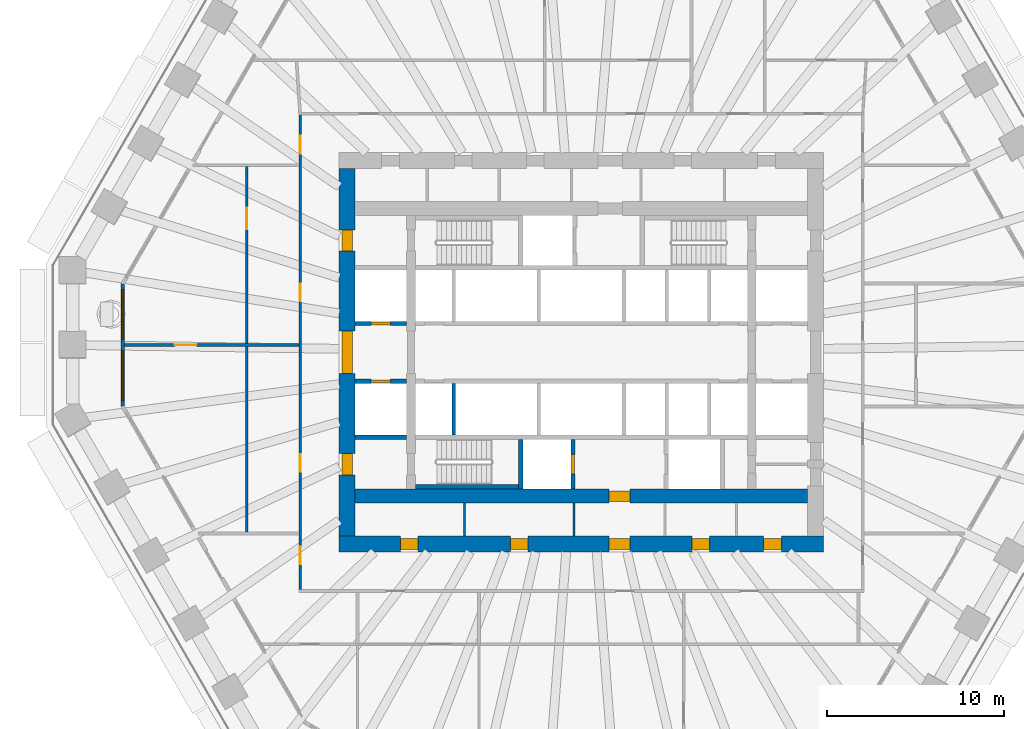
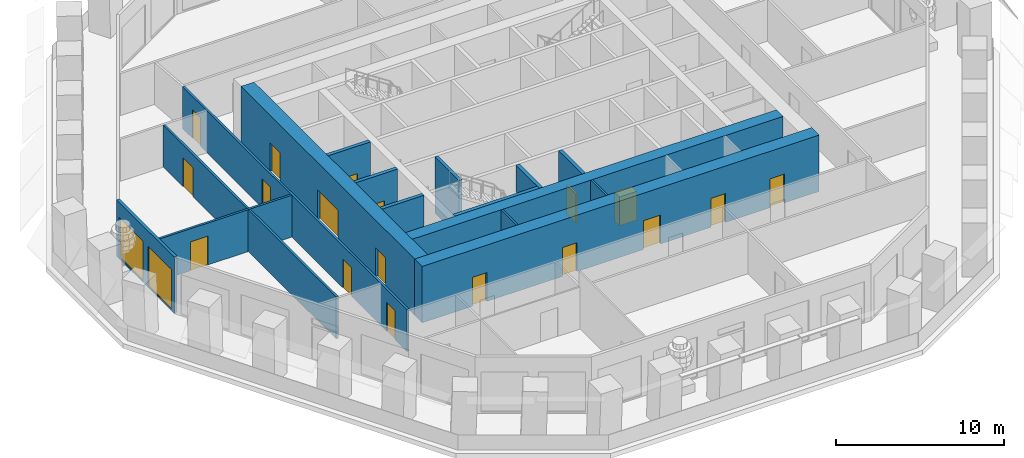
# One storey, part 4 of 13: 18 doors, 16 walls, 2 windows, 20 openings.
"""IFC4 building model written with IfcOpenShell, lengths in metres."""

from ifc_helpers import new_model, si_unit, direction, frame, frame_2d, origin, place, context, subcontext, project, spatial, polyline, rectangle, outline, extrude, material, layer, layer_set, type_object, element, fill, save


model = new_model("IFC4")

# Units and contexts
model_context = context("Model", 3, precision=1e-05, world=origin(), true_north=direction((0.0, 1.0)))
body_context = subcontext(model_context, "Body", "Model", "MODEL_VIEW")
ifc_project = project(units=[si_unit("LENGTHUNIT", "METRE"), si_unit("AREAUNIT", "SQUARE_METRE"), si_unit("VOLUMEUNIT", "CUBIC_METRE"), si_unit("PLANEANGLEUNIT", "RADIAN"), si_unit("MASSUNIT", "GRAM", prefix="KILO")], contexts=[model_context])

# Site, building, storey
site_placement = place(None, origin())
site = spatial("IfcSite", under=ifc_project, at=site_placement, CompositionType="ELEMENT")
building_placement = place(site_placement, origin())
building = spatial("IfcBuilding", under=site, at=building_placement, Name="Frailejon Research Tower", CompositionType="ELEMENT")
storey_placement = place(building_placement, frame((0.0, 0.0, 27.800048828125)))
storey = spatial("IfcBuildingStorey", under=building, at=storey_placement, Name="L06", CompositionType="ELEMENT", Elevation=27.800048828125)

# Walls
ifc_material_1 = material(Name="Plasterboard on steel studs", Category="steel")
ifc_layer_1 = layer(ifc_material_1, 0.125)
ifc_layer_set_1 = layer_set([ifc_layer_1], Name="Core partition 125")
wall_type_1 = type_object("IfcWallType", Name="Core partition 125", PredefinedType="PARTITIONING", material=ifc_layer_set_1)
for number, where, z_axis, x_axis, name in (
    (1, (-6.581298828125, -10.35009765625, 0.0), (0.0, 0.0, 1.0), (0.0, 1.0, 0.0), "Core partition"),
    (2, (-0.41259765625, -10.35009765625, 0.0), (0.0, 0.0, 1.0), (0.0, 1.0, 0.0), "Core partition"),
):
    element("IfcWall", number, at=place(storey_placement, frame(where, z_axis=z_axis, x_axis=x_axis)), inside=storey, type_object=wall_type_1, Name=name, PredefinedType="PARTITIONING", context=body_context, shape_type="SweptSolid", body=[
        extrude(rectangle(XDim=1.85009765625, YDim=0.125, at=frame_2d((0.925048828125, 0.0))), origin(), (0.0, 0.0, 1.0), 4.099853515625),
    ])

# Wall, opening, door
ifc_material_2 = material(Name="Concrete C70/85", Category="concrete")
ifc_layer_2 = layer(ifc_material_2, 0.800048828125)
ifc_layer_set_2 = layer_set([ifc_layer_2], Name="Core shear wall 800 C70/85")
wall_type_2 = type_object("IfcWallType", Name="Core shear wall 800 C70/85", PredefinedType="SHEAR", material=ifc_layer_set_2)
wall_1_placement = place(storey_placement, frame((-12.75, -8.10009765625, 0.0), z_axis=(0.0, 0.0, 1.0), x_axis=(1.0, 0.0, 0.0)))
wall_1 = element("IfcWall", 3, at=wall_1_placement, inside=storey, type_object=wall_type_2, Name="Core shear wall", PredefinedType="SHEAR", context=body_context, shape_type="SweptSolid", body=[
    extrude(rectangle(XDim=25.5, YDim=0.800048828125, at=frame_2d((12.75, 0.0))), origin(), (0.0, 0.0, 1.0), 4.099853515625),
])
opening_1_placement = place(wall_1_placement, frame((14.300048828125, 0.0, 0.0)))
opening_1 = element("IfcOpeningElement", 4, at=opening_1_placement, cuts=wall_1, Name="Opening D3", PredefinedType="OPENING", context=body_context, shape_type="SweptSolid", body=[
    extrude(rectangle(XDim=1.199951171875, YDim=2.10009765625, at=frame_2d((0.60009765625, 1.050048828125))), frame((0.0, 0.409912109375, 0.0), z_axis=(0.0, -1.0, 0.0), x_axis=(1.0, 0.0, 0.0)), (0.0, 0.0, 1.0), 0.820068359375),
])
ifc_material_3 = material(Name="Steel", Category="steel")
door_type_1 = type_object("IfcDoorType", Name="Firefighting lobby door", OperationType="SINGLE_SWING_LEFT", PredefinedType="DOOR", material=ifc_material_3)
door_1_placement = place(opening_1_placement, origin())
door_1 = element("IfcDoor", 5, at=door_1_placement, inside=storey, type_object=door_type_1, Name="Firefighting lobby door", OperationType="SINGLE_SWING_RIGHT", OverallHeight=2.10009765625, OverallWidth=1.199951171875, PredefinedType="DOOR", context=body_context, shape_type="SweptSolid", body=[
    extrude(rectangle(XDim=1.199951171875, YDim=2.10009765625, at=frame_2d((0.60009765625, 1.050048828125))), frame((0.0, 0.300048828125, 0.0), z_axis=(0.0, -1.0, 0.0), x_axis=(1.0, 0.0, 0.0)), (0.0, 0.0, 1.0), 0.60009765625),
])
fill(opening_1, door_1)

# Wall, openings, doors
ifc_material_4 = material(Name="Concrete C70/85", Category="concrete")
ifc_layer_3 = layer(ifc_material_4, 0.89990234375)
ifc_layer_set_3 = layer_set([ifc_layer_3], Name="Core shear wall 900 C70/85")
wall_type_3 = type_object("IfcWallType", Name="Core shear wall 900 C70/85", PredefinedType="SHEAR", material=ifc_layer_set_3)
wall_2_placement = place(storey_placement, frame((-13.64990234375, -10.800048828125, 0.0), z_axis=(0.0, 0.0, 1.0), x_axis=(1.0, 0.0, 0.0)))
wall_2 = element("IfcWall", 6, at=wall_2_placement, inside=storey, type_object=wall_type_3, Name="Core shear wall", PredefinedType="SHEAR", context=body_context, shape_type="SweptSolid", body=[
    extrude(rectangle(XDim=27.2998046875, YDim=0.89990234375, at=frame_2d((13.64990234375, 0.0))), origin(), (0.0, 0.0, 1.0), 4.099853515625),
])
opening_2_placement = place(wall_2_placement, frame((3.453125, 0.0, 0.0)))
opening_2 = element("IfcOpeningElement", 7, at=opening_2_placement, cuts=wall_2, Name="Opening D4", PredefinedType="OPENING", context=body_context, shape_type="SweptSolid", body=[
    extrude(rectangle(XDim=1.0, YDim=2.10009765625, at=frame_2d((0.5, 1.050048828125))), frame((0.0, 0.4599609375, 0.0), z_axis=(0.0, -1.0, 0.0), x_axis=(1.0, 0.0, 0.0)), (0.0, 0.0, 1.0), 0.919921875),
])
opening_3_placement = place(wall_2_placement, frame((9.653076171875, 0.0, 0.0)))
opening_3 = element("IfcOpeningElement", 8, at=opening_3_placement, cuts=wall_2, Name="Opening D4", PredefinedType="OPENING", context=body_context, shape_type="SweptSolid", body=[
    extrude(rectangle(XDim=1.0, YDim=2.10009765625, at=frame_2d((0.5, 1.050048828125))), frame((0.0, 0.4599609375, 0.0), z_axis=(0.0, -1.0, 0.0), x_axis=(1.0, 0.0, 0.0)), (0.0, 0.0, 1.0), 0.919921875),
])
opening_4_placement = place(wall_2_placement, frame((19.871826171875, 0.0, 0.0)))
opening_4 = element("IfcOpeningElement", 9, at=opening_4_placement, cuts=wall_2, Name="Opening D4", PredefinedType="OPENING", context=body_context, shape_type="SweptSolid", body=[
    extrude(rectangle(XDim=1.0, YDim=2.10009765625, at=frame_2d((0.5, 1.050048828125))), frame((0.0, 0.4599609375, 0.0), z_axis=(0.0, -1.0, 0.0), x_axis=(1.0, 0.0, 0.0)), (0.0, 0.0, 1.0), 0.919921875),
])
opening_5_placement = place(wall_2_placement, frame((23.921875, 0.0, 0.0)))
opening_5 = element("IfcOpeningElement", 10, at=opening_5_placement, cuts=wall_2, Name="Opening D4", PredefinedType="OPENING", context=body_context, shape_type="SweptSolid", body=[
    extrude(rectangle(XDim=1.0, YDim=2.10009765625, at=frame_2d((0.5, 1.050048828125))), frame((0.0, 0.4599609375, 0.0), z_axis=(0.0, -1.0, 0.0), x_axis=(1.0, 0.0, 0.0)), (0.0, 0.0, 1.0), 0.919921875),
])
opening_6_placement = place(wall_2_placement, frame((15.199951171875, 0.0, 0.0)))
opening_6 = element("IfcOpeningElement", 11, at=opening_6_placement, cuts=wall_2, Name="Opening D3", PredefinedType="OPENING", context=body_context, shape_type="SweptSolid", body=[
    extrude(rectangle(XDim=1.199951171875, YDim=2.10009765625, at=frame_2d((0.60009765625, 1.050048828125))), frame((0.0, 0.4599609375, 0.0), z_axis=(0.0, -1.0, 0.0), x_axis=(1.0, 0.0, 0.0)), (0.0, 0.0, 1.0), 0.919921875),
])
door_2_placement = place(opening_6_placement, origin())
door_2 = element("IfcDoor", 12, at=door_2_placement, inside=storey, type_object=door_type_1, Name="Passage door", OperationType="SINGLE_SWING_LEFT", OverallHeight=2.10009765625, OverallWidth=1.199951171875, PredefinedType="DOOR", context=body_context, shape_type="SweptSolid", body=[
    extrude(rectangle(XDim=1.199951171875, YDim=2.10009765625, at=frame_2d((0.60009765625, 1.050048828125))), frame((0.0, 0.300048828125, 0.0), z_axis=(0.0, -1.0, 0.0), x_axis=(1.0, 0.0, 0.0)), (0.0, 0.0, 1.0), 0.60009765625),
])
fill(opening_6, door_2)
ifc_material_5 = material(Name="Steel", Category="steel")
door_type_2 = type_object("IfcDoorType", Name="Service door", OperationType="SINGLE_SWING_LEFT", PredefinedType="DOOR", material=ifc_material_5)
door_3_placement = place(opening_2_placement, origin())
door_3 = element("IfcDoor", 13, at=door_3_placement, inside=storey, type_object=door_type_2, Name="Room door", OperationType="SINGLE_SWING_LEFT", OverallHeight=2.10009765625, OverallWidth=1.0, PredefinedType="DOOR", context=body_context, shape_type="SweptSolid", body=[
    extrude(rectangle(XDim=1.0, YDim=2.10009765625, at=frame_2d((0.5, 1.050048828125))), frame((0.0, 0.300048828125, 0.0), z_axis=(0.0, -1.0, 0.0), x_axis=(1.0, 0.0, 0.0)), (0.0, 0.0, 1.0), 0.60009765625),
])
fill(opening_2, door_3)
door_4_placement = place(opening_3_placement, origin())
door_4 = element("IfcDoor", 14, at=door_4_placement, inside=storey, type_object=door_type_2, Name="Room door", OperationType="SINGLE_SWING_RIGHT", OverallHeight=2.10009765625, OverallWidth=1.0, PredefinedType="DOOR", context=body_context, shape_type="SweptSolid", body=[
    extrude(rectangle(XDim=1.0, YDim=2.10009765625, at=frame_2d((0.5, 1.050048828125))), frame((0.0, 0.300048828125, 0.0), z_axis=(0.0, -1.0, 0.0), x_axis=(1.0, 0.0, 0.0)), (0.0, 0.0, 1.0), 0.60009765625),
])
fill(opening_3, door_4)
door_5_placement = place(opening_4_placement, origin())
door_5 = element("IfcDoor", 15, at=door_5_placement, inside=storey, type_object=door_type_2, Name="Room door", OperationType="SINGLE_SWING_LEFT", OverallHeight=2.10009765625, OverallWidth=1.0, PredefinedType="DOOR", context=body_context, shape_type="SweptSolid", body=[
    extrude(rectangle(XDim=1.0, YDim=2.10009765625, at=frame_2d((0.5, 1.050048828125))), frame((0.0, 0.300048828125, 0.0), z_axis=(0.0, -1.0, 0.0), x_axis=(1.0, 0.0, 0.0)), (0.0, 0.0, 1.0), 0.60009765625),
])
fill(opening_4, door_5)
door_6_placement = place(opening_5_placement, origin())
door_6 = element("IfcDoor", 16, at=door_6_placement, inside=storey, type_object=door_type_2, Name="Room door", OperationType="SINGLE_SWING_RIGHT", OverallHeight=2.10009765625, OverallWidth=1.0, PredefinedType="DOOR", context=body_context, shape_type="SweptSolid", body=[
    extrude(rectangle(XDim=1.0, YDim=2.10009765625, at=frame_2d((0.5, 1.050048828125))), frame((0.0, 0.300048828125, 0.0), z_axis=(0.0, -1.0, 0.0), x_axis=(1.0, 0.0, 0.0)), (0.0, 0.0, 1.0), 0.60009765625),
])
fill(opening_5, door_6)

wall_3_placement = place(storey_placement, frame((-13.199951171875, -10.35009765625, 0.0), z_axis=(0.0, 0.0, 1.0), x_axis=(0.0, 1.0, 0.0)))
wall_3 = element("IfcWall", 17, at=wall_3_placement, inside=storey, type_object=wall_type_3, Name="Core shear wall", PredefinedType="SHEAR", context=body_context, shape_type="SweptSolid", body=[
    extrude(rectangle(XDim=20.7001953125, YDim=0.89990234375, at=frame_2d((10.35009765625, 0.0))), origin(), (0.0, 0.0, 1.0), 4.099853515625),
])
opening_7_placement = place(wall_3_placement, frame((9.14990234375, 0.0, 0.0)))
opening_7 = element("IfcOpeningElement", 18, at=opening_7_placement, cuts=wall_3, Name="Opening D2", PredefinedType="OPENING", context=body_context, shape_type="SweptSolid", body=[
    extrude(rectangle(XDim=2.39990234375, YDim=2.10009765625, at=frame_2d((1.199951171875, 1.050048828125))), frame((0.0, 0.4599609375, 0.0), z_axis=(0.0, -1.0, 0.0), x_axis=(1.0, 0.0, 0.0)), (0.0, 0.0, 1.0), 0.919921875),
])
opening_8_placement = place(wall_3_placement, frame((16.050048828125, 0.0, 0.0)))
opening_8 = element("IfcOpeningElement", 19, at=opening_8_placement, cuts=wall_3, Name="Opening D7", PredefinedType="OPENING", context=body_context, shape_type="SweptSolid", body=[
    extrude(rectangle(XDim=1.199951171875, YDim=2.10009765625, at=frame_2d((0.60009765625, 1.050048828125))), frame((0.0, 0.4599609375, 0.0), z_axis=(0.0, -1.0, 0.0), x_axis=(1.0, 0.0, 0.0)), (0.0, 0.0, 1.0), 0.919921875),
])
opening_9_placement = place(wall_3_placement, frame((3.449951171875, 0.0, 0.0)))
opening_9 = element("IfcOpeningElement", 20, at=opening_9_placement, cuts=wall_3, Name="Opening D7", PredefinedType="OPENING", context=body_context, shape_type="SweptSolid", body=[
    extrude(rectangle(XDim=1.199951171875, YDim=2.10009765625, at=frame_2d((0.60009765625, 1.050048828125))), frame((0.0, 0.4599609375, 0.0), z_axis=(0.0, -1.0, 0.0), x_axis=(1.0, 0.0, 0.0)), (0.0, 0.0, 1.0), 0.919921875),
])
ifc_material_6 = material(Name="Steel", Category="steel")
door_type_3 = type_object("IfcDoorType", Name="Lobby double door", OperationType="DOUBLE_DOOR_SINGLE_SWING", PredefinedType="DOOR", material=ifc_material_6)
door_7_placement = place(opening_7_placement, origin())
door_7 = element("IfcDoor", 21, at=door_7_placement, inside=storey, type_object=door_type_3, Name="Lobby door", OperationType="DOUBLE_DOOR_SINGLE_SWING", OverallHeight=2.10009765625, OverallWidth=2.39990234375, PredefinedType="DOOR", context=body_context, shape_type="SweptSolid", body=[
    extrude(rectangle(XDim=2.39990234375, YDim=2.10009765625, at=frame_2d((1.199951171875, 1.050048828125))), frame((0.0, 0.300048828125, 0.0), z_axis=(0.0, -1.0, 0.0), x_axis=(1.0, 0.0, 0.0)), (0.0, 0.0, 1.0), 0.60009765625),
])
fill(opening_7, door_7)
ifc_material_7 = material(Name="Steel", Category="steel")
door_type_4 = type_object("IfcDoorType", Name="Stair exit door", OperationType="SINGLE_SWING_LEFT", PredefinedType="DOOR", material=ifc_material_7)
door_8_placement = place(opening_8_placement, origin())
door_8 = element("IfcDoor", 22, at=door_8_placement, inside=storey, type_object=door_type_4, Name="Stair exit door ST1", OperationType="SINGLE_SWING_LEFT", OverallHeight=2.10009765625, OverallWidth=1.199951171875, PredefinedType="DOOR", context=body_context, shape_type="SweptSolid", body=[
    extrude(rectangle(XDim=1.199951171875, YDim=2.10009765625, at=frame_2d((0.60009765625, 1.050048828125))), frame((0.0, 0.300048828125, 0.0), z_axis=(0.0, -1.0, 0.0), x_axis=(1.0, 0.0, 0.0)), (0.0, 0.0, 1.0), 0.60009765625),
])
fill(opening_8, door_8)
door_9_placement = place(opening_9_placement, origin())
door_9 = element("IfcDoor", 23, at=door_9_placement, inside=storey, type_object=door_type_4, Name="Stair exit door ST2", OperationType="SINGLE_SWING_LEFT", OverallHeight=2.10009765625, OverallWidth=1.199951171875, PredefinedType="DOOR", context=body_context, shape_type="SweptSolid", body=[
    extrude(rectangle(XDim=1.199951171875, YDim=2.10009765625, at=frame_2d((0.60009765625, 1.050048828125))), frame((0.0, 0.300048828125, 0.0), z_axis=(0.0, -1.0, 0.0), x_axis=(1.0, 0.0, 0.0)), (0.0, 0.0, 1.0), 0.60009765625),
])
fill(opening_9, door_9)

ifc_material_8 = material(Name="Gypsum board and masonry partition", Category="masonry")
ifc_layer_4 = layer(ifc_material_8, 0.14990234375)
ifc_layer_set_4 = layer_set([ifc_layer_4], Name="Corridor wall EI 60, gypsum on steel studs 150")
wall_type_4 = type_object("IfcWallType", Name="Corridor wall EI 60, gypsum on steel studs 150", PredefinedType="PARTITIONING", material=ifc_layer_set_4)
wall_4_placement = place(storey_placement, frame((-15.85009765625, -13.375, 0.0), z_axis=(0.0, 0.0, 1.0), x_axis=(0.0, 1.0, 0.0)))
wall_4 = element("IfcWall", 24, at=wall_4_placement, inside=storey, type_object=wall_type_4, Name="T:IW:L06:003", PredefinedType="PARTITIONING", context=body_context, shape_type="SweptSolid", body=[
    extrude(rectangle(XDim=26.75, YDim=0.14990234375, at=frame_2d((13.375, 0.0))), origin(), (0.0, 0.0, 1.0), 3.050048828125),
])
opening_10_placement = place(wall_4_placement, frame((24.56884765625, 0.0, 0.0)))
opening_10 = element("IfcOpeningElement", 25, at=opening_10_placement, cuts=wall_4, Name="Opening D1304", PredefinedType="OPENING", context=body_context, shape_type="SweptSolid", body=[
    extrude(rectangle(XDim=1.0, YDim=2.10009765625, at=frame_2d((0.5, 1.050048828125))), frame((0.0, 0.0849609375, 0.0), z_axis=(0.0, -1.0, 0.0), x_axis=(1.0, 0.0, 0.0)), (0.0, 0.0, 1.0), 0.169921875),
])
opening_11_placement = place(wall_4_placement, frame((16.24658203125, 0.0, 0.0)))
opening_11 = element("IfcOpeningElement", 26, at=opening_11_placement, cuts=wall_4, Name="Opening D1305", PredefinedType="OPENING", context=body_context, shape_type="SweptSolid", body=[
    extrude(rectangle(XDim=1.0, YDim=2.10009765625, at=frame_2d((0.5, 1.050048828125))), frame((0.0, 0.0849609375, 0.0), z_axis=(0.0, -1.0, 0.0), x_axis=(1.0, 0.0, 0.0)), (0.0, 0.0, 1.0), 0.169921875),
])
opening_12_placement = place(wall_4_placement, frame((6.638916015625, 0.0, 0.0)))
opening_12 = element("IfcOpeningElement", 27, at=opening_12_placement, cuts=wall_4, Name="Opening D1308", PredefinedType="OPENING", context=body_context, shape_type="SweptSolid", body=[
    extrude(rectangle(XDim=1.0, YDim=2.10009765625, at=frame_2d((0.5, 1.050048828125))), frame((0.0, 0.0849609375, 0.0), z_axis=(0.0, -1.0, 0.0), x_axis=(1.0, 0.0, 0.0)), (0.0, 0.0, 1.0), 0.169921875),
])
opening_13_placement = place(wall_4_placement, frame((1.43017578125, 0.0, 0.0)))
opening_13 = element("IfcOpeningElement", 28, at=opening_13_placement, cuts=wall_4, Name="Opening D1309", PredefinedType="OPENING", context=body_context, shape_type="SweptSolid", body=[
    extrude(rectangle(XDim=1.0, YDim=2.10009765625, at=frame_2d((0.5, 1.050048828125))), frame((0.0, 0.0849609375, 0.0), z_axis=(0.0, -1.0, 0.0), x_axis=(1.0, 0.0, 0.0)), (0.0, 0.0, 1.0), 0.169921875),
])
ifc_material_9 = material(Name="Timber door leaf", Category="wood")
door_type_5 = type_object("IfcDoorType", Name="Door laboratory, timber, vision panel 1000", OperationType="NOTDEFINED", PredefinedType="DOOR", material=ifc_material_9)
door_10_placement = place(opening_11_placement, origin())
door_10 = element("IfcDoor", 29, at=door_10_placement, inside=storey, type_object=door_type_5, Name="D1305", OperationType="SINGLE_SWING_RIGHT", OverallHeight=2.10009765625, OverallWidth=1.0, PredefinedType="DOOR", context=body_context, shape_type="SweptSolid", body=[
    extrude(rectangle(XDim=1.0, YDim=2.10009765625, at=frame_2d((0.5, 1.050048828125))), frame((0.0, 0.02490234375, 0.0), z_axis=(0.0, -1.0, 0.0), x_axis=(1.0, 0.0, 0.0)), (0.0, 0.0, 1.0), 0.050048828125),
])
fill(opening_11, door_10)
door_11_placement = place(opening_13_placement, origin())
door_11 = element("IfcDoor", 30, at=door_11_placement, inside=storey, type_object=door_type_5, Name="D1309", OperationType="SINGLE_SWING_RIGHT", OverallHeight=2.10009765625, OverallWidth=1.0, PredefinedType="DOOR", context=body_context, shape_type="SweptSolid", body=[
    extrude(rectangle(XDim=1.0, YDim=2.10009765625, at=frame_2d((0.5, 1.050048828125))), frame((0.0, 0.02490234375, 0.0), z_axis=(0.0, -1.0, 0.0), x_axis=(1.0, 0.0, 0.0)), (0.0, 0.0, 1.0), 0.050048828125),
])
fill(opening_13, door_11)
ifc_material_10 = material(Name="Timber door leaf", Category="wood")
door_type_6 = type_object("IfcDoorType", Name="Door single leaf, timber, steel frame 1000", OperationType="NOTDEFINED", PredefinedType="DOOR", material=ifc_material_10)
door_12_placement = place(opening_10_placement, origin())
door_12 = element("IfcDoor", 31, at=door_12_placement, inside=storey, type_object=door_type_6, Name="D1304", OperationType="SINGLE_SWING_LEFT", OverallHeight=2.10009765625, OverallWidth=1.0, PredefinedType="DOOR", context=body_context, shape_type="SweptSolid", body=[
    extrude(rectangle(XDim=1.0, YDim=2.10009765625, at=frame_2d((0.5, 1.050048828125))), frame((0.0, 0.02490234375, 0.0), z_axis=(0.0, -1.0, 0.0), x_axis=(1.0, 0.0, 0.0)), (0.0, 0.0, 1.0), 0.050048828125),
])
fill(opening_10, door_12)
door_13_placement = place(opening_12_placement, origin())
door_13 = element("IfcDoor", 32, at=door_13_placement, inside=storey, type_object=door_type_6, Name="D1308", OperationType="SINGLE_SWING_LEFT", OverallHeight=2.10009765625, OverallWidth=1.0, PredefinedType="DOOR", context=body_context, shape_type="SweptSolid", body=[
    extrude(rectangle(XDim=1.0, YDim=2.10009765625, at=frame_2d((0.5, 1.050048828125))), frame((0.0, 0.02490234375, 0.0), z_axis=(0.0, -1.0, 0.0), x_axis=(1.0, 0.0, 0.0)), (0.0, 0.0, 1.0), 0.050048828125),
])
fill(opening_12, door_13)

# Wall, opening, door
ifc_material_11 = material(Name="Gypsum board and masonry partition", Category="masonry")
ifc_layer_5 = layer(ifc_material_11, 0.14990234375)
ifc_layer_set_5 = layer_set([ifc_layer_5], Name="Laboratory partition, blockwork 150")
wall_type_5 = type_object("IfcWallType", Name="Laboratory partition, blockwork 150", PredefinedType="PARTITIONING", material=ifc_layer_set_5)
wall_5_placement = place(storey_placement, frame((-18.85009765625, -10.135009765625, 0.0), z_axis=(0.0, 0.0, 1.0), x_axis=(0.0, 1.0, 0.0)))
wall_5 = element("IfcWall", 33, at=wall_5_placement, inside=storey, type_object=wall_type_5, Name="T:IW:L06:015", PredefinedType="PARTITIONING", context=body_context, shape_type="SweptSolid", body=[
    extrude(rectangle(XDim=20.601806640625, YDim=0.14990234375, at=frame_2d((10.30078125, 0.0))), origin(), (0.0, 0.0, 1.0), 3.050048828125),
])
opening_14_placement = place(wall_5_placement, frame((17.06982421875, 0.0, 0.0)))
opening_14 = element("IfcOpeningElement", 34, at=opening_14_placement, cuts=wall_5, Name="Opening D1306", PredefinedType="OPENING", context=body_context, shape_type="SweptSolid", body=[
    extrude(rectangle(XDim=1.199951171875, YDim=2.10009765625, at=frame_2d((0.60009765625, 1.050048828125))), frame((0.0, 0.0849609375, 0.0), z_axis=(0.0, -1.0, 0.0), x_axis=(1.0, 0.0, 0.0)), (0.0, 0.0, 1.0), 0.169921875),
])
ifc_material_12 = material(Name="Timber door leaf", Category="wood")
door_type_7 = type_object("IfcDoorType", Name="Door laboratory, timber, vision panel 1200", OperationType="NOTDEFINED", PredefinedType="DOOR", material=ifc_material_12)
door_14_placement = place(opening_14_placement, origin())
door_14 = element("IfcDoor", 35, at=door_14_placement, inside=storey, type_object=door_type_7, Name="D1306", OperationType="DOUBLE_DOOR_SINGLE_SWING", OverallHeight=2.10009765625, OverallWidth=1.199951171875, PredefinedType="DOOR", context=body_context, shape_type="SweptSolid", body=[
    extrude(rectangle(XDim=1.199951171875, YDim=2.10009765625, at=frame_2d((0.60009765625, 1.050048828125))), frame((0.0, 0.02490234375, 0.0), z_axis=(0.0, -1.0, 0.0), x_axis=(1.0, 0.0, 0.0)), (0.0, 0.0, 1.0), 0.050048828125),
])
fill(opening_14, door_14)

wall_6_placement = place(storey_placement, frame((-25.752197265625, 0.414794921875, 0.0), z_axis=(0.0, 0.0, 1.0), x_axis=(1.0, 0.0, 0.0)))
wall_6 = element("IfcWall", 36, at=wall_6_placement, inside=storey, type_object=wall_type_5, Name="T:IW:L06:016", PredefinedType="PARTITIONING", context=body_context, shape_type="SweptSolid", body=[
    extrude(rectangle(XDim=9.8271484375, YDim=0.14990234375, at=frame_2d((4.91357421875, 0.0))), origin(), (0.0, 0.0, 1.0), 3.050048828125),
])
opening_15_placement = place(wall_6_placement, frame((2.851318359375, 0.0, 0.0)))
opening_15 = element("IfcOpeningElement", 37, at=opening_15_placement, cuts=wall_6, Name="Opening D1307", PredefinedType="OPENING", context=body_context, shape_type="SweptSolid", body=[
    extrude(rectangle(XDim=1.199951171875, YDim=2.10009765625, at=frame_2d((0.60009765625, 1.050048828125))), frame((0.0, 0.0849609375, 0.0), z_axis=(0.0, -1.0, 0.0), x_axis=(1.0, 0.0, 0.0)), (0.0, 0.0, 1.0), 0.169921875),
])
door_15_placement = place(opening_15_placement, origin())
door_15 = element("IfcDoor", 38, at=door_15_placement, inside=storey, type_object=door_type_7, Name="D1307", OperationType="DOUBLE_DOOR_SINGLE_SWING", OverallHeight=2.10009765625, OverallWidth=1.199951171875, PredefinedType="DOOR", context=body_context, shape_type="SweptSolid", body=[
    extrude(rectangle(XDim=1.199951171875, YDim=2.10009765625, at=frame_2d((0.60009765625, 1.050048828125))), frame((0.0, 0.02490234375, 0.0), z_axis=(0.0, -1.0, 0.0), x_axis=(1.0, 0.0, 0.0)), (0.0, 0.0, 1.0), 0.050048828125),
])
fill(opening_15, door_15)

# Wall
ifc_material_13 = material(Name="Concrete C70/85", Category="concrete")
ifc_layer_6 = layer(ifc_material_13, 0.199951171875)
ifc_layer_set_6 = layer_set([ifc_layer_6], Name="Shaft wall 200 C70/85")
wall_type_6 = type_object("IfcWallType", Name="Shaft wall 200 C70/85", PredefinedType="SOLIDWALL", material=ifc_layer_set_6)
wall_7_placement = place(storey_placement, frame((-7.199951171875, -4.64990234375, 0.0), z_axis=(0.0, 0.0, 1.0), x_axis=(0.0, 1.0, 0.0)))
element("IfcWall", 39, at=wall_7_placement, inside=storey, type_object=wall_type_6, Name="Shaft wall", PredefinedType="SOLIDWALL", context=body_context, shape_type="SweptSolid", body=[
    extrude(rectangle(XDim=2.89990234375, YDim=0.199951171875, at=frame_2d((1.449951171875, 0.0))), origin(), (0.0, 0.0, 1.0), 4.099853515625),
])

# Wall, opening, door
ifc_material_14 = material(Name="Concrete C70/85", Category="concrete")
ifc_layer_7 = layer(ifc_material_14, 0.25)
ifc_layer_set_7 = layer_set([ifc_layer_7], Name="Shaft wall 250 C70/85")
wall_type_7 = type_object("IfcWallType", Name="Shaft wall 250 C70/85", PredefinedType="SOLIDWALL", material=ifc_layer_set_7)
wall_8_placement = place(storey_placement, frame((-12.75, 1.625, 0.0), z_axis=(0.0, 0.0, 1.0), x_axis=(1.0, 0.0, 0.0)))
wall_8 = element("IfcWall", 40, at=wall_8_placement, inside=storey, type_object=wall_type_7, Name="Shaft wall", PredefinedType="SOLIDWALL", context=body_context, shape_type="SweptSolid", body=[
    extrude(rectangle(XDim=2.89990234375, YDim=0.25, at=frame_2d((1.449951171875, 0.0))), origin(), (0.0, 0.0, 1.0), 4.099853515625),
])
opening_16_placement = place(wall_8_placement, frame((0.89990234375, 0.0, 0.0)))
opening_16 = element("IfcOpeningElement", 41, at=opening_16_placement, cuts=wall_8, Name="Opening LD", PredefinedType="OPENING", context=body_context, shape_type="SweptSolid", body=[
    extrude(rectangle(XDim=1.10009765625, YDim=2.10009765625, at=frame_2d((0.550048828125, 1.050048828125))), frame((0.0, 0.135009765625, 0.0), z_axis=(0.0, -1.0, 0.0), x_axis=(1.0, 0.0, 0.0)), (0.0, 0.0, 1.0), 0.27001953125),
])
ifc_material_15 = material(Name="Steel", Category="steel")
door_type_8 = type_object("IfcDoorType", Name="Lift landing door", OperationType="DOUBLE_DOOR_SLIDING", PredefinedType="DOOR", material=ifc_material_15)
door_16_placement = place(opening_16_placement, origin())
door_16 = element("IfcDoor", 42, at=door_16_placement, inside=storey, type_object=door_type_8, Name="Lift landing door", OperationType="DOUBLE_DOOR_SLIDING", OverallHeight=2.10009765625, OverallWidth=1.10009765625, PredefinedType="DOOR", context=body_context, shape_type="SweptSolid", body=[
    extrude(rectangle(XDim=1.10009765625, YDim=2.10009765625, at=frame_2d((0.550048828125, 1.050048828125))), frame((0.0, 0.074951171875, 0.0), z_axis=(0.0, -1.0, 0.0), x_axis=(1.0, 0.0, 0.0)), (0.0, 0.0, 1.0), 0.14990234375),
])
fill(opening_16, door_16)

wall_9_placement = place(storey_placement, frame((-12.75, -1.625, 0.0), z_axis=(0.0, 0.0, 1.0), x_axis=(1.0, 0.0, 0.0)))
wall_9 = element("IfcWall", 43, at=wall_9_placement, inside=storey, type_object=wall_type_7, Name="Shaft wall", PredefinedType="SOLIDWALL", context=body_context, shape_type="SweptSolid", body=[
    extrude(rectangle(XDim=2.89990234375, YDim=0.25, at=frame_2d((1.449951171875, 0.0))), origin(), (0.0, 0.0, 1.0), 4.099853515625),
])
opening_17_placement = place(wall_9_placement, frame((0.89990234375, 0.0, 0.0)))
opening_17 = element("IfcOpeningElement", 44, at=opening_17_placement, cuts=wall_9, Name="Opening LD", PredefinedType="OPENING", context=body_context, shape_type="SweptSolid", body=[
    extrude(rectangle(XDim=1.10009765625, YDim=2.10009765625, at=frame_2d((0.550048828125, 1.050048828125))), frame((0.0, 0.135009765625, 0.0), z_axis=(0.0, -1.0, 0.0), x_axis=(1.0, 0.0, 0.0)), (0.0, 0.0, 1.0), 0.27001953125),
])
door_17_placement = place(opening_17_placement, origin())
door_17 = element("IfcDoor", 45, at=door_17_placement, inside=storey, type_object=door_type_8, Name="Lift landing door", OperationType="DOUBLE_DOOR_SLIDING", OverallHeight=2.10009765625, OverallWidth=1.10009765625, PredefinedType="DOOR", context=body_context, shape_type="SweptSolid", body=[
    extrude(rectangle(XDim=1.10009765625, YDim=2.10009765625, at=frame_2d((0.550048828125, 1.050048828125))), frame((0.0, 0.074951171875, 0.0), z_axis=(0.0, -1.0, 0.0), x_axis=(1.0, 0.0, 0.0)), (0.0, 0.0, 1.0), 0.14990234375),
])
fill(opening_17, door_17)

# Walls
wall_10_placement = place(storey_placement, frame((-12.75, -4.77490234375, 0.0), z_axis=(0.0, 0.0, 1.0), x_axis=(1.0, 0.0, 0.0)))
element("IfcWall", 46, at=wall_10_placement, inside=storey, type_object=wall_type_7, Name="Shaft wall", PredefinedType="SOLIDWALL", context=body_context, shape_type="SweptSolid", body=[
    extrude(rectangle(XDim=2.89990234375, YDim=0.25, at=frame_2d((1.449951171875, 0.0))), origin(), (0.0, 0.0, 1.0), 4.099853515625),
])
wall_11_placement = place(storey_placement, frame((-9.35009765625, -7.574951171875, 0.0), z_axis=(0.0, 0.0, 1.0), x_axis=(1.0, 0.0, 0.0)))
element("IfcWall", 47, at=wall_11_placement, inside=storey, type_object=wall_type_7, Name="Shaft wall", PredefinedType="SOLIDWALL", context=body_context, shape_type="SweptSolid", body=[
    extrude(rectangle(XDim=5.800048828125, YDim=0.25, at=frame_2d((2.89990234375, 0.0))), origin(), (0.0, 0.0, 1.0), 4.099853515625),
])
wall_12_placement = place(storey_placement, frame((-3.425048828125, -7.699951171875, 0.0), z_axis=(0.0, 0.0, 1.0), x_axis=(0.0, 1.0, 0.0)))
element("IfcWall", 48, at=wall_12_placement, inside=storey, type_object=wall_type_7, Name="Shaft wall", PredefinedType="SOLIDWALL", context=body_context, shape_type="SweptSolid", body=[
    extrude(rectangle(XDim=2.800048828125, YDim=0.25, at=frame_2d((1.39990234375, 0.0))), origin(), (0.0, 0.0, 1.0), 4.099853515625),
])

# Wall, opening, door
wall_13_placement = place(storey_placement, frame((-0.47509765625, -7.699951171875, 0.0), z_axis=(0.0, 0.0, 1.0), x_axis=(0.0, 1.0, 0.0)))
wall_13 = element("IfcWall", 49, at=wall_13_placement, inside=storey, type_object=wall_type_7, Name="Shaft wall", PredefinedType="SOLIDWALL", context=body_context, shape_type="SweptSolid", body=[
    extrude(rectangle(XDim=2.800048828125, YDim=0.25, at=frame_2d((1.39990234375, 0.0))), origin(), (0.0, 0.0, 1.0), 4.099853515625),
])
opening_18_placement = place(wall_13_placement, frame((0.85009765625, 0.0, 0.0)))
opening_18 = element("IfcOpeningElement", 50, at=opening_18_placement, cuts=wall_13, Name="Opening LD", PredefinedType="OPENING", context=body_context, shape_type="SweptSolid", body=[
    extrude(rectangle(XDim=1.10009765625, YDim=2.10009765625, at=frame_2d((0.550048828125, 1.050048828125))), frame((0.0, 0.135009765625, 0.0), z_axis=(0.0, -1.0, 0.0), x_axis=(1.0, 0.0, 0.0)), (0.0, 0.0, 1.0), 0.27001953125),
])
door_18_placement = place(opening_18_placement, origin())
door_18 = element("IfcDoor", 51, at=door_18_placement, inside=storey, type_object=door_type_8, Name="Lift landing door", OperationType="DOUBLE_DOOR_SLIDING", OverallHeight=2.10009765625, OverallWidth=1.10009765625, PredefinedType="DOOR", context=body_context, shape_type="SweptSolid", body=[
    extrude(rectangle(XDim=1.10009765625, YDim=2.10009765625, at=frame_2d((0.550048828125, 1.050048828125))), frame((0.0, 0.074951171875, 0.0), z_axis=(0.0, -1.0, 0.0), x_axis=(1.0, 0.0, 0.0)), (0.0, 0.0, 1.0), 0.14990234375),
])
fill(opening_18, door_18)

# Wall, openings, windows
ifc_material_16 = material(Name="Concrete C40/50 precast window wall panel", Category="concrete")
ifc_layer_8 = layer(ifc_material_16, 0.199951171875)
ifc_layer_set_8 = layer_set([ifc_layer_8], Name="Window wall 200")
wall_type_8 = type_object("IfcWallType", Name="Window wall 200", PredefinedType="SOLIDWALL", material=ifc_layer_set_8)
wall_14_placement = place(storey_placement, frame((-25.852294921875, 3.85205078125, 0.0), z_axis=(0.0, 0.0, 1.0), x_axis=(0.0, -1.0, 0.0)))
wall_14 = element("IfcWall", 52, at=wall_14_placement, inside=storey, type_object=wall_type_8, Name="Exterior wall L06", PredefinedType="SOLIDWALL", context=body_context, shape_type="SweptSolid", body=[
    extrude(outline(polyline([(-0.02685546875, -0.10009765625), (1.1279296875, -0.10009765625), (2.282470703125, -0.10009765625), (3.437255859375, -0.10009765625), (4.592041015625, -0.10009765625), (5.74658203125, -0.10009765625), (6.9013671875, -0.10009765625), (6.84765625, 0.10009765625), (5.7109375, 0.10009765625), (4.573974609375, 0.10009765625), (3.437255859375, 0.10009765625), (2.300537109375, 0.10009765625), (1.16357421875, 0.10009765625), (0.02685546875, 0.10009765625), (-0.02685546875, -0.10009765625)])), origin(), (0.0, 0.0, 1.0), 4.099853515625),
])
opening_19_placement = place(wall_14_placement, frame((0.318603515625, 0.0, 0.10009765625)))
opening_19 = element("IfcOpeningElement", 53, at=opening_19_placement, cuts=wall_14, Name="Opening W3", PredefinedType="OPENING", context=body_context, shape_type="SweptSolid", body=[
    extrude(rectangle(XDim=2.800048828125, YDim=2.89990234375, at=frame_2d((1.39990234375, 1.449951171875))), frame((0.0, 0.10986328125, 0.0), z_axis=(0.0, -1.0, 0.0), x_axis=(1.0, 0.0, 0.0)), (0.0, 0.0, 1.0), 0.219970703125),
])
opening_20_placement = place(wall_14_placement, frame((3.756103515625, 0.0, 0.10009765625)))
opening_20 = element("IfcOpeningElement", 54, at=opening_20_placement, cuts=wall_14, Name="Opening W3", PredefinedType="OPENING", context=body_context, shape_type="SweptSolid", body=[
    extrude(rectangle(XDim=2.800048828125, YDim=2.89990234375, at=frame_2d((1.39990234375, 1.449951171875))), frame((0.0, 0.10986328125, 0.0), z_axis=(0.0, -1.0, 0.0), x_axis=(1.0, 0.0, 0.0)), (0.0, 0.0, 1.0), 0.219970703125),
])
ifc_material_17 = material(Name="Aluminium framed double glazing", Category="aluminium")
window_type = type_object("IfcWindowType", Name="Window 2800x2900", PartitioningType="SINGLE_PANEL", PredefinedType="WINDOW", material=ifc_material_17)
window_1_placement = place(opening_19_placement, origin())
window_1 = element("IfcWindow", 55, at=window_1_placement, inside=storey, type_object=window_type, Name="Window L06", OverallHeight=2.89990234375, OverallWidth=2.800048828125, PartitioningType="SINGLE_PANEL", PredefinedType="WINDOW", context=body_context, shape_type="SweptSolid", body=[
    extrude(rectangle(XDim=2.800048828125, YDim=2.89990234375, at=frame_2d((1.39990234375, 1.449951171875))), frame((0.0, 0.030029296875, 0.0), z_axis=(0.0, -1.0, 0.0), x_axis=(1.0, 0.0, 0.0)), (0.0, 0.0, 1.0), 0.06005859375),
])
fill(opening_19, window_1)
window_2_placement = place(opening_20_placement, origin())
window_2 = element("IfcWindow", 56, at=window_2_placement, inside=storey, type_object=window_type, Name="Window L06", OverallHeight=2.89990234375, OverallWidth=2.800048828125, PartitioningType="SINGLE_PANEL", PredefinedType="WINDOW", context=body_context, shape_type="SweptSolid", body=[
    extrude(rectangle(XDim=2.800048828125, YDim=2.89990234375, at=frame_2d((1.39990234375, 1.449951171875))), frame((0.0, 0.030029296875, 0.0), z_axis=(0.0, -1.0, 0.0), x_axis=(1.0, 0.0, 0.0)), (0.0, 0.0, 1.0), 0.06005859375),
])
fill(opening_20, window_2)

save(model, "model.ifc")
